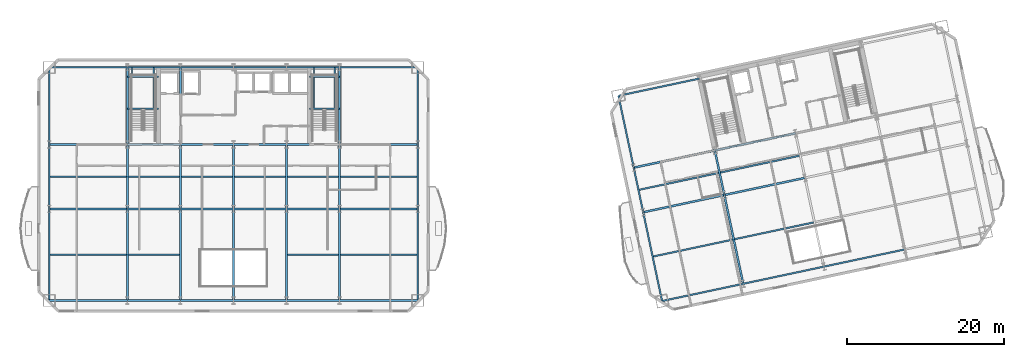
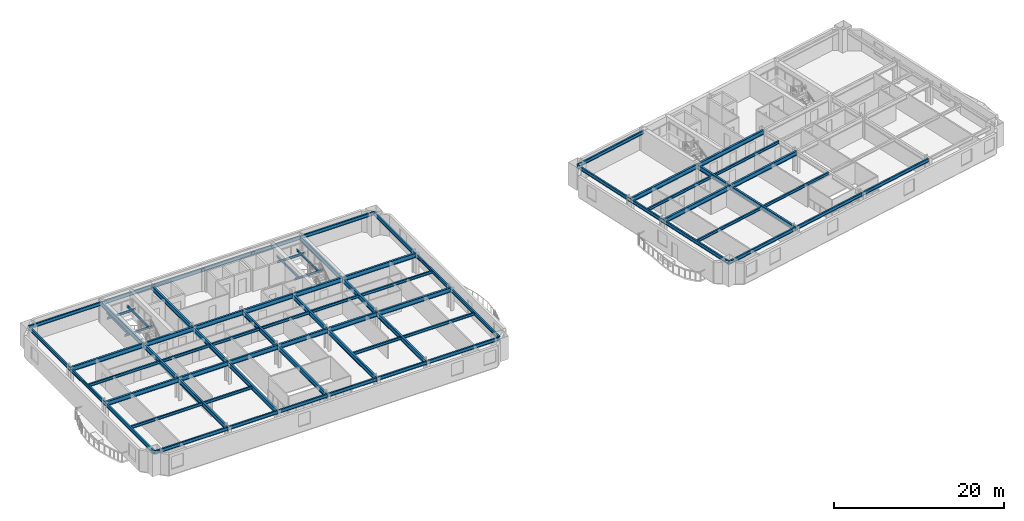
# One storey, part 3 of 14: 78 beams.
"""IFC4 building model written with IfcOpenShell, lengths in metres."""

from ifc_helpers import new_model, si_unit, direction, frame, origin, origin_2d, place, context, subcontext, project, spatial, i_section, extrude, material, material_profile, profile_set, type_object, element, save


model = new_model("IFC4")

# Units and contexts
model_context = context("Model", 3, precision=1e-05, world=origin(), true_north=direction((0.0, 1.0)))
body_context = subcontext(model_context, "Body", "Model", "MODEL_VIEW")
ifc_project = project(units=[si_unit("LENGTHUNIT", "METRE"), si_unit("AREAUNIT", "SQUARE_METRE"), si_unit("VOLUMEUNIT", "CUBIC_METRE"), si_unit("PLANEANGLEUNIT", "RADIAN"), si_unit("MASSUNIT", "GRAM", prefix="KILO")], contexts=[model_context])

# Site, building, storey
site_placement = place(None, origin())
site = spatial("IfcSite", under=ifc_project, at=site_placement, CompositionType="ELEMENT")
building_placement = place(site_placement, origin())
building = spatial("IfcBuilding", under=site, at=building_placement, Name="Haevon Station Towers", CompositionType="ELEMENT")
storey_placement = place(building_placement, frame((0.0, 0.0, 86.699951171875)))
storey = spatial("IfcBuildingStorey", under=building, at=storey_placement, Name="L22", CompositionType="ELEMENT", Elevation=86.699951171875)

# Beams
ifc_material = material(Name="Steel S355", Category="steel")
ifc_material_profile_1 = material_profile(ifc_material, i_section(OverallWidth=0.25, OverallDepth=0.64990234375, WebThickness=0.012939453125, FlangeThickness=0.02197265625, at=origin_2d()), Name="H-650x250x13x22")
ifc_profile_set_1 = profile_set([ifc_material_profile_1], Name="Steel S355")
beam_type_1 = type_object("IfcBeamType", Name="BM-G650", PredefinedType="BEAM", material=ifc_profile_set_1)
beam_1_placement = place(storey_placement, frame((14.050048828125, 30.0, 2.72509765625), z_axis=(1.0, 0.0, 0.0), x_axis=(0.0, 1.0, 0.0)))
element("IfcBeam", 1, at=beam_1_placement, inside=storey, type_object=beam_type_1, Name="BM-T1U-L22-02-01", PredefinedType="BEAM", context=body_context, shape_type="SweptSolid", body=[
    extrude(i_section(OverallWidth=0.25, OverallDepth=0.64990234375, WebThickness=0.012939453125, FlangeThickness=0.02197265625, at=origin_2d()), origin(), (0.0, 0.0, 1.0), 9.949951171875),
])
for number, where, z_axis, x_axis, name in (
    (2, (24.0, 30.0, 2.72509765625), (1.0, 0.0, 0.0), (0.0, 1.0, 0.0), "BM-T1U-L22-02-02"),
    (3, (30.75, 30.0, 2.72509765625), (1.0, 0.0, 0.0), (0.0, 1.0, 0.0), "BM-T1U-L22-02-03"),
    (4, (37.5, 30.0, 2.72509765625), (1.0, 0.0, 0.0), (0.0, 1.0, 0.0), "BM-T1U-L22-02-04"),
    (5, (44.25, 30.0, 2.72509765625), (1.0, 0.0, 0.0), (0.0, 1.0, 0.0), "BM-T1U-L22-02-05"),
):
    element("IfcBeam", number, at=place(storey_placement, frame(where, z_axis=z_axis, x_axis=x_axis)), inside=storey, type_object=beam_type_1, Name=name, PredefinedType="BEAM", context=body_context, shape_type="SweptSolid", body=[
        extrude(i_section(OverallWidth=0.25, OverallDepth=0.64990234375, WebThickness=0.012939453125, FlangeThickness=0.02197265625, at=origin_2d()), origin(), (0.0, 0.0, 1.0), 6.75),
    ])
for number, where, z_axis, x_axis, name in (
    (6, (51.0, 30.0, 2.72509765625), (1.0, 0.0, 0.0), (0.0, 1.0, 0.0), "BM-T1U-L22-02-06"),
    (7, (14.050048828125, 38.199951171875, 2.72509765625), (1.0, 0.0, 0.0), (0.0, 1.0, 0.0), "BM-T1U-L22-03-01"),
):
    element("IfcBeam", number, at=place(storey_placement, frame(where, z_axis=z_axis, x_axis=x_axis)), inside=storey, type_object=beam_type_1, Name=name, PredefinedType="BEAM", context=body_context, shape_type="SweptSolid", body=[
        extrude(i_section(OverallWidth=0.25, OverallDepth=0.64990234375, WebThickness=0.012939453125, FlangeThickness=0.02197265625, at=origin_2d()), origin(), (0.0, 0.0, 1.0), 9.949951171875),
    ])
for number, where, z_axis, x_axis, name in (
    (8, (24.0, 38.199951171875, 2.72509765625), (1.0, 0.0, 0.0), (0.0, 1.0, 0.0), "BM-T1U-L22-03-02"),
    (9, (30.75, 38.199951171875, 2.72509765625), (1.0, 0.0, 0.0), (0.0, 1.0, 0.0), "BM-T1U-L22-03-03"),
    (10, (37.5, 38.199951171875, 2.72509765625), (1.0, 0.0, 0.0), (0.0, 1.0, 0.0), "BM-T1U-L22-03-04"),
    (11, (44.25, 38.199951171875, 2.72509765625), (1.0, 0.0, 0.0), (0.0, 1.0, 0.0), "BM-T1U-L22-03-05"),
):
    element("IfcBeam", number, at=place(storey_placement, frame(where, z_axis=z_axis, x_axis=x_axis)), inside=storey, type_object=beam_type_1, Name=name, PredefinedType="BEAM", context=body_context, shape_type="SweptSolid", body=[
        extrude(i_section(OverallWidth=0.25, OverallDepth=0.64990234375, WebThickness=0.012939453125, FlangeThickness=0.02197265625, at=origin_2d()), origin(), (0.0, 0.0, 1.0), 6.75),
    ])
beam_2_placement = place(storey_placement, frame((51.0, 38.199951171875, 2.72509765625), z_axis=(1.0, 0.0, 0.0), x_axis=(0.0, 1.0, 0.0)))
element("IfcBeam", 12, at=beam_2_placement, inside=storey, type_object=beam_type_1, Name="BM-T1U-L22-03-06", PredefinedType="BEAM", context=body_context, shape_type="SweptSolid", body=[
    extrude(i_section(OverallWidth=0.25, OverallDepth=0.64990234375, WebThickness=0.012939453125, FlangeThickness=0.02197265625, at=origin_2d()), origin(), (0.0, 0.0, 1.0), 9.949951171875),
])
beam_3_placement = place(storey_placement, frame((24.0, 18.35009765625, 2.72509765625), z_axis=(0.0, 1.0, 0.0), x_axis=(-1.0, 0.0, 0.0)))
element("IfcBeam", 13, at=beam_3_placement, inside=storey, type_object=beam_type_1, Name="BM-T1V-L22-02-01", PredefinedType="BEAM", context=body_context, shape_type="SweptSolid", body=[
    extrude(i_section(OverallWidth=0.25, OverallDepth=0.64990234375, WebThickness=0.012939453125, FlangeThickness=0.02197265625, at=origin_2d()), origin(), (0.0, 0.0, 1.0), 11.64990234375),
])
beam_4_placement = place(storey_placement, frame((24.0, 30.0, 2.72509765625), z_axis=(0.0, 1.0, 0.0), x_axis=(-1.0, 0.0, 0.0)))
element("IfcBeam", 14, at=beam_4_placement, inside=storey, type_object=beam_type_1, Name="BM-T1V-L22-02-02", PredefinedType="BEAM", context=body_context, shape_type="SweptSolid", body=[
    extrude(i_section(OverallWidth=0.25, OverallDepth=0.64990234375, WebThickness=0.012939453125, FlangeThickness=0.02197265625, at=origin_2d()), origin(), (0.0, 0.0, 1.0), 8.199951171875),
])
beam_5_placement = place(storey_placement, frame((24.0, 38.199951171875, 2.72509765625), z_axis=(0.0, 1.0, 0.0), x_axis=(-1.0, 0.0, 0.0)))
element("IfcBeam", 15, at=beam_5_placement, inside=storey, type_object=beam_type_1, Name="BM-T1V-L22-02-03", PredefinedType="BEAM", context=body_context, shape_type="SweptSolid", body=[
    extrude(i_section(OverallWidth=0.25, OverallDepth=0.64990234375, WebThickness=0.012939453125, FlangeThickness=0.02197265625, at=origin_2d()), origin(), (0.0, 0.0, 1.0), 9.800048828125),
])
beam_6_placement = place(storey_placement, frame((30.75, 18.35009765625, 2.72509765625), z_axis=(0.0, 1.0, 0.0), x_axis=(-1.0, 0.0, 0.0)))
element("IfcBeam", 16, at=beam_6_placement, inside=storey, type_object=beam_type_1, Name="BM-T1V-L22-03-01", PredefinedType="BEAM", context=body_context, shape_type="SweptSolid", body=[
    extrude(i_section(OverallWidth=0.25, OverallDepth=0.64990234375, WebThickness=0.012939453125, FlangeThickness=0.02197265625, at=origin_2d()), origin(), (0.0, 0.0, 1.0), 11.64990234375),
])
beam_7_placement = place(storey_placement, frame((30.75, 30.0, 2.72509765625), z_axis=(0.0, 1.0, 0.0), x_axis=(-1.0, 0.0, 0.0)))
element("IfcBeam", 17, at=beam_7_placement, inside=storey, type_object=beam_type_1, Name="BM-T1V-L22-03-02", PredefinedType="BEAM", context=body_context, shape_type="SweptSolid", body=[
    extrude(i_section(OverallWidth=0.25, OverallDepth=0.64990234375, WebThickness=0.012939453125, FlangeThickness=0.02197265625, at=origin_2d()), origin(), (0.0, 0.0, 1.0), 8.199951171875),
])
beam_8_placement = place(storey_placement, frame((30.75, 38.199951171875, 2.72509765625), z_axis=(0.0, 1.0, 0.0), x_axis=(-1.0, 0.0, 0.0)))
element("IfcBeam", 18, at=beam_8_placement, inside=storey, type_object=beam_type_1, Name="BM-T1V-L22-03-03", PredefinedType="BEAM", context=body_context, shape_type="SweptSolid", body=[
    extrude(i_section(OverallWidth=0.25, OverallDepth=0.64990234375, WebThickness=0.012939453125, FlangeThickness=0.02197265625, at=origin_2d()), origin(), (0.0, 0.0, 1.0), 9.800048828125),
])
beam_9_placement = place(storey_placement, frame((37.5, 18.35009765625, 2.72509765625), z_axis=(0.0, 1.0, 0.0), x_axis=(-1.0, 0.0, 0.0)))
element("IfcBeam", 19, at=beam_9_placement, inside=storey, type_object=beam_type_1, Name="BM-T1V-L22-04-01", PredefinedType="BEAM", context=body_context, shape_type="SweptSolid", body=[
    extrude(i_section(OverallWidth=0.25, OverallDepth=0.64990234375, WebThickness=0.012939453125, FlangeThickness=0.02197265625, at=origin_2d()), origin(), (0.0, 0.0, 1.0), 11.64990234375),
])
beam_10_placement = place(storey_placement, frame((37.5, 30.0, 2.72509765625), z_axis=(0.0, 1.0, 0.0), x_axis=(-1.0, 0.0, 0.0)))
element("IfcBeam", 20, at=beam_10_placement, inside=storey, type_object=beam_type_1, Name="BM-T1V-L22-04-02", PredefinedType="BEAM", context=body_context, shape_type="SweptSolid", body=[
    extrude(i_section(OverallWidth=0.25, OverallDepth=0.64990234375, WebThickness=0.012939453125, FlangeThickness=0.02197265625, at=origin_2d()), origin(), (0.0, 0.0, 1.0), 8.199951171875),
])
beam_11_placement = place(storey_placement, frame((44.25, 18.35009765625, 2.72509765625), z_axis=(0.0, 1.0, 0.0), x_axis=(-1.0, 0.0, 0.0)))
element("IfcBeam", 21, at=beam_11_placement, inside=storey, type_object=beam_type_1, Name="BM-T1V-L22-05-01", PredefinedType="BEAM", context=body_context, shape_type="SweptSolid", body=[
    extrude(i_section(OverallWidth=0.25, OverallDepth=0.64990234375, WebThickness=0.012939453125, FlangeThickness=0.02197265625, at=origin_2d()), origin(), (0.0, 0.0, 1.0), 11.64990234375),
])
beam_12_placement = place(storey_placement, frame((44.25, 30.0, 2.72509765625), z_axis=(0.0, 1.0, 0.0), x_axis=(-1.0, 0.0, 0.0)))
element("IfcBeam", 22, at=beam_12_placement, inside=storey, type_object=beam_type_1, Name="BM-T1V-L22-05-02", PredefinedType="BEAM", context=body_context, shape_type="SweptSolid", body=[
    extrude(i_section(OverallWidth=0.25, OverallDepth=0.64990234375, WebThickness=0.012939453125, FlangeThickness=0.02197265625, at=origin_2d()), origin(), (0.0, 0.0, 1.0), 8.199951171875),
])
beam_13_placement = place(storey_placement, frame((51.0, 18.35009765625, 2.72509765625), z_axis=(0.0, 1.0, 0.0), x_axis=(-1.0, 0.0, 0.0)))
element("IfcBeam", 23, at=beam_13_placement, inside=storey, type_object=beam_type_1, Name="BM-T1V-L22-06-01", PredefinedType="BEAM", context=body_context, shape_type="SweptSolid", body=[
    extrude(i_section(OverallWidth=0.25, OverallDepth=0.64990234375, WebThickness=0.012939453125, FlangeThickness=0.02197265625, at=origin_2d()), origin(), (0.0, 0.0, 1.0), 11.64990234375),
])
beam_14_placement = place(storey_placement, frame((51.0, 30.0, 2.72509765625), z_axis=(0.0, 1.0, 0.0), x_axis=(-1.0, 0.0, 0.0)))
element("IfcBeam", 24, at=beam_14_placement, inside=storey, type_object=beam_type_1, Name="BM-T1V-L22-06-02", PredefinedType="BEAM", context=body_context, shape_type="SweptSolid", body=[
    extrude(i_section(OverallWidth=0.25, OverallDepth=0.64990234375, WebThickness=0.012939453125, FlangeThickness=0.02197265625, at=origin_2d()), origin(), (0.0, 0.0, 1.0), 8.199951171875),
])
beam_15_placement = place(storey_placement, frame((51.0, 38.199951171875, 2.72509765625), z_axis=(0.0, 1.0, 0.0), x_axis=(-1.0, 0.0, 0.0)))
element("IfcBeam", 25, at=beam_15_placement, inside=storey, type_object=beam_type_1, Name="BM-T1V-L22-06-03", PredefinedType="BEAM", context=body_context, shape_type="SweptSolid", body=[
    extrude(i_section(OverallWidth=0.25, OverallDepth=0.64990234375, WebThickness=0.012939453125, FlangeThickness=0.02197265625, at=origin_2d()), origin(), (0.0, 0.0, 1.0), 9.800048828125),
])
beam_16_placement = place(storey_placement, frame((89.638671875, 29.57568359375, 2.72509765625), z_axis=(0.978150204601, 0.207899440208, 0.0), x_axis=(-0.207899440208, 0.978150204601, 0.0)))
element("IfcBeam", 26, at=beam_16_placement, inside=storey, type_object=beam_type_1, Name="BM-T2U-L22-02-01", PredefinedType="BEAM", context=body_context, shape_type="SweptSolid", body=[
    extrude(i_section(OverallWidth=0.25, OverallDepth=0.64990234375, WebThickness=0.012939453125, FlangeThickness=0.02197265625, at=origin_2d()), origin(), (0.0, 0.0, 1.0), 10.550048828125),
])
beam_17_placement = place(storey_placement, frame((99.958251953125, 31.76904296875, 2.72509765625), z_axis=(0.978146794194, 0.207915485254, 0.0), x_axis=(-0.207915485254, 0.978146794194, 0.0)))
element("IfcBeam", 27, at=beam_17_placement, inside=storey, type_object=beam_type_1, Name="BM-T2U-L22-02-02", PredefinedType="BEAM", context=body_context, shape_type="SweptSolid", body=[
    extrude(i_section(OverallWidth=0.25, OverallDepth=0.64990234375, WebThickness=0.012939453125, FlangeThickness=0.02197265625, at=origin_2d()), origin(), (0.0, 0.0, 1.0), 10.5),
])
beam_18_placement = place(storey_placement, frame((88.432861328125, 35.2490234375, 2.72509765625), z_axis=(0.978150204601, 0.207899440208, 0.0), x_axis=(-0.207899440208, 0.978150204601, 0.0)))
element("IfcBeam", 28, at=beam_18_placement, inside=storey, type_object=beam_type_1, Name="BM-T2U-L22-03-01", PredefinedType="BEAM", context=body_context, shape_type="SweptSolid", body=[
    extrude(i_section(OverallWidth=0.25, OverallDepth=0.64990234375, WebThickness=0.012939453125, FlangeThickness=0.02197265625, at=origin_2d()), origin(), (0.0, 0.0, 1.0), 10.550048828125),
])
beam_19_placement = place(storey_placement, frame((98.75244140625, 37.4423828125, 2.72509765625), z_axis=(0.978146794194, 0.207915485254, 0.0), x_axis=(-0.207915485254, 0.978146794194, 0.0)))
element("IfcBeam", 29, at=beam_19_placement, inside=storey, type_object=beam_type_1, Name="BM-T2U-L22-03-02", PredefinedType="BEAM", context=body_context, shape_type="SweptSolid", body=[
    extrude(i_section(OverallWidth=0.25, OverallDepth=0.64990234375, WebThickness=0.012939453125, FlangeThickness=0.02197265625, at=origin_2d()), origin(), (0.0, 0.0, 1.0), 10.5),
])
beam_20_placement = place(storey_placement, frame((102.359619140625, 20.471435546875, 2.72509765625), z_axis=(-0.207910580697, 0.978147836697, 0.0), x_axis=(-0.978147836697, -0.207910580697, 0.0)))
element("IfcBeam", 30, at=beam_20_placement, inside=storey, type_object=beam_type_1, Name="BM-T2V-L22-02-01", PredefinedType="BEAM", context=body_context, shape_type="SweptSolid", body=[
    extrude(i_section(OverallWidth=0.25, OverallDepth=0.64990234375, WebThickness=0.012939453125, FlangeThickness=0.02197265625, at=origin_2d()), origin(), (0.0, 0.0, 1.0), 11.550048828125),
])
beam_21_placement = place(storey_placement, frame((99.958251953125, 31.76904296875, 2.72509765625), z_axis=(-0.207896009217, 0.97815093383, 0.0), x_axis=(-0.97815093383, -0.207896009217, 0.0)))
element("IfcBeam", 31, at=beam_21_placement, inside=storey, type_object=beam_type_1, Name="BM-T2V-L22-02-02", PredefinedType="BEAM", context=body_context, shape_type="SweptSolid", body=[
    extrude(i_section(OverallWidth=0.25, OverallDepth=0.64990234375, WebThickness=0.012939453125, FlangeThickness=0.02197265625, at=origin_2d()), origin(), (0.0, 0.0, 1.0), 5.800048828125),
])
ifc_material_profile_2 = material_profile(ifc_material, i_section(OverallWidth=0.199951171875, OverallDepth=0.39990234375, WebThickness=0.008056640625, FlangeThickness=0.012939453125, at=origin_2d()), Name="H-400x200x8x13")
ifc_profile_set_2 = profile_set([ifc_material_profile_2], Name="Steel S355")
beam_type_2 = type_object("IfcBeamType", Name="BM-J400", PredefinedType="JOIST", material=ifc_profile_set_2)
beam_22_placement = place(storey_placement, frame((14.159912109375, 24.175048828125, 2.85009765625), z_axis=(1.0, 0.0, 0.0), x_axis=(0.0, 1.0, 0.0)))
element("IfcBeam", 32, at=beam_22_placement, inside=storey, type_object=beam_type_2, Name="BM-T1J-L22-01-01", PredefinedType="JOIST", context=body_context, shape_type="SweptSolid", body=[
    extrude(i_section(OverallWidth=0.199951171875, OverallDepth=0.39990234375, WebThickness=0.008056640625, FlangeThickness=0.012939453125, at=origin_2d()), origin(), (0.0, 0.0, 1.0), 9.72998046875),
])
for number, where, z_axis, x_axis, name in (
    (33, (24.110107421875, 24.175048828125, 2.85009765625), (1.0, 0.0, 0.0), (0.0, 1.0, 0.0), "BM-T1J-L22-01-02"),
    (34, (44.360107421875, 24.175048828125, 2.85009765625), (1.0, 0.0, 0.0), (0.0, 1.0, 0.0), "BM-T1J-L22-01-05"),
):
    element("IfcBeam", number, at=place(storey_placement, frame(where, z_axis=z_axis, x_axis=x_axis)), inside=storey, type_object=beam_type_2, Name=name, PredefinedType="JOIST", context=body_context, shape_type="SweptSolid", body=[
        extrude(i_section(OverallWidth=0.199951171875, OverallDepth=0.39990234375, WebThickness=0.008056640625, FlangeThickness=0.012939453125, at=origin_2d()), origin(), (0.0, 0.0, 1.0), 6.52978515625),
    ])
for number, where, z_axis, x_axis, name in (
    (35, (51.110107421875, 24.175048828125, 2.85009765625), (1.0, 0.0, 0.0), (0.0, 1.0, 0.0), "BM-T1J-L22-01-06"),
    (36, (14.159912109375, 34.10009765625, 2.85009765625), (1.0, 0.0, 0.0), (0.0, 1.0, 0.0), "BM-T1J-L22-02-01"),
):
    element("IfcBeam", number, at=place(storey_placement, frame(where, z_axis=z_axis, x_axis=x_axis)), inside=storey, type_object=beam_type_2, Name=name, PredefinedType="JOIST", context=body_context, shape_type="SweptSolid", body=[
        extrude(i_section(OverallWidth=0.199951171875, OverallDepth=0.39990234375, WebThickness=0.008056640625, FlangeThickness=0.012939453125, at=origin_2d()), origin(), (0.0, 0.0, 1.0), 9.72998046875),
    ])
for number, where, z_axis, x_axis, name in (
    (37, (24.110107421875, 34.10009765625, 2.85009765625), (1.0, 0.0, 0.0), (0.0, 1.0, 0.0), "BM-T1J-L22-02-02"),
    (38, (30.860107421875, 34.10009765625, 2.85009765625), (1.0, 0.0, 0.0), (0.0, 1.0, 0.0), "BM-T1J-L22-02-03"),
    (39, (37.610107421875, 34.10009765625, 2.85009765625), (1.0, 0.0, 0.0), (0.0, 1.0, 0.0), "BM-T1J-L22-02-04"),
    (40, (44.360107421875, 34.10009765625, 2.85009765625), (1.0, 0.0, 0.0), (0.0, 1.0, 0.0), "BM-T1J-L22-02-05"),
):
    element("IfcBeam", number, at=place(storey_placement, frame(where, z_axis=z_axis, x_axis=x_axis)), inside=storey, type_object=beam_type_2, Name=name, PredefinedType="JOIST", context=body_context, shape_type="SweptSolid", body=[
        extrude(i_section(OverallWidth=0.199951171875, OverallDepth=0.39990234375, WebThickness=0.008056640625, FlangeThickness=0.012939453125, at=origin_2d()), origin(), (0.0, 0.0, 1.0), 6.52978515625),
    ])
beam_23_placement = place(storey_placement, frame((51.110107421875, 34.10009765625, 2.85009765625), z_axis=(1.0, 0.0, 0.0), x_axis=(0.0, 1.0, 0.0)))
element("IfcBeam", 41, at=beam_23_placement, inside=storey, type_object=beam_type_2, Name="BM-T1J-L22-02-06", PredefinedType="JOIST", context=body_context, shape_type="SweptSolid", body=[
    extrude(i_section(OverallWidth=0.199951171875, OverallDepth=0.39990234375, WebThickness=0.008056640625, FlangeThickness=0.012939453125, at=origin_2d()), origin(), (0.0, 0.0, 1.0), 9.72998046875),
])
beam_24_placement = place(storey_placement, frame((90.947021484375, 23.94970703125, 2.85009765625), z_axis=(0.978147977643, 0.207909917591, 0.0), x_axis=(-0.207909917591, 0.978147977643, 0.0)))
element("IfcBeam", 42, at=beam_24_placement, inside=storey, type_object=beam_type_2, Name="BM-T2J-L22-01-01", PredefinedType="JOIST", context=body_context, shape_type="SweptSolid", body=[
    extrude(i_section(OverallWidth=0.199951171875, OverallDepth=0.39990234375, WebThickness=0.008056640625, FlangeThickness=0.012939453125, at=origin_2d()), origin(), (0.0, 0.0, 1.0), 10.330078125),
])
beam_25_placement = place(storey_placement, frame((101.2666015625, 26.143310546875, 2.85009765625), z_axis=(0.978149313139, 0.20790363442, 0.0), x_axis=(-0.20790363442, 0.978149313139, 0.0)))
element("IfcBeam", 43, at=beam_25_placement, inside=storey, type_object=beam_type_2, Name="BM-T2J-L22-01-02", PredefinedType="JOIST", context=body_context, shape_type="SweptSolid", body=[
    extrude(i_section(OverallWidth=0.199951171875, OverallDepth=0.39990234375, WebThickness=0.008056640625, FlangeThickness=0.012939453125, at=origin_2d()), origin(), (0.0, 0.0, 1.0), 10.27978515625),
])
beam_26_placement = place(storey_placement, frame((89.1435546875, 32.435302734375, 2.85009765625), z_axis=(0.978147977643, 0.207909917591, 0.0), x_axis=(-0.207909917591, 0.978147977643, 0.0)))
element("IfcBeam", 44, at=beam_26_placement, inside=storey, type_object=beam_type_2, Name="BM-T2J-L22-02-01", PredefinedType="JOIST", context=body_context, shape_type="SweptSolid", body=[
    extrude(i_section(OverallWidth=0.199951171875, OverallDepth=0.39990234375, WebThickness=0.008056640625, FlangeThickness=0.012939453125, at=origin_2d()), origin(), (0.0, 0.0, 1.0), 10.330078125),
])
beam_27_placement = place(storey_placement, frame((99.462890625, 34.628662109375, 2.85009765625), z_axis=(0.978150339653, 0.207898804801, 0.0), x_axis=(-0.207898804801, 0.978150339653, 0.0)))
element("IfcBeam", 45, at=beam_27_placement, inside=storey, type_object=beam_type_2, Name="BM-T2J-L22-02-02", PredefinedType="JOIST", context=body_context, shape_type="SweptSolid", body=[
    extrude(i_section(OverallWidth=0.199951171875, OverallDepth=0.39990234375, WebThickness=0.008056640625, FlangeThickness=0.012939453125, at=origin_2d()), origin(), (0.0, 0.0, 1.0), 10.280029296875),
])
ifc_material_profile_3 = material_profile(ifc_material, i_section(OverallWidth=0.14990234375, OverallDepth=0.300048828125, WebThickness=0.006591796875, FlangeThickness=0.009033203125, at=origin_2d()), Name="H-300x150x6.5x9")
ifc_profile_set_3 = profile_set([ifc_material_profile_3], Name="Steel S355")
beam_type_3 = type_object("IfcBeamType", Name="BM-LIN300", PredefinedType="LINTEL", material=ifc_profile_set_3)
for number, where, z_axis, x_axis, name in (
    (46, (24.0, 42.743896484375, 1.300048828125), (1.0, 0.0, 0.0), (0.0, 1.0, 0.0), "BM-ST1L-L22-1-S"),
    (47, (24.0, 46.820068359375, 1.300048828125), (1.0, 0.0, 0.0), (0.0, 1.0, 0.0), "BM-ST1L-L22-1-N"),
):
    element("IfcBeam", number, at=place(storey_placement, frame(where, z_axis=z_axis, x_axis=x_axis)), inside=storey, type_object=beam_type_3, Name=name, PredefinedType="LINTEL", context=body_context, shape_type="SweptSolid", body=[
        extrude(i_section(OverallWidth=0.14990234375, OverallDepth=0.300048828125, WebThickness=0.006591796875, FlangeThickness=0.009033203125, at=origin_2d()), origin(), (0.0, 0.0, 1.0), 3.949951171875),
    ])
for number, where, z_axis, x_axis, name in (
    (48, (24.60009765625, 42.743896484375, 1.300048828125), (0.0, 1.0, 0.0), (-1.0, 0.0, 0.0), "BM-ST1L-L22-1-W"),
    (49, (27.35009765625, 42.743896484375, 1.300048828125), (0.0, 1.0, 0.0), (-1.0, 0.0, 0.0), "BM-ST1L-L22-1-E"),
):
    element("IfcBeam", number, at=place(storey_placement, frame(where, z_axis=z_axis, x_axis=x_axis)), inside=storey, type_object=beam_type_3, Name=name, PredefinedType="LINTEL", context=body_context, shape_type="SweptSolid", body=[
        extrude(i_section(OverallWidth=0.14990234375, OverallDepth=0.300048828125, WebThickness=0.006591796875, FlangeThickness=0.009033203125, at=origin_2d()), origin(), (0.0, 0.0, 1.0), 5.256103515625),
    ])
for number, where, z_axis, x_axis, name in (
    (50, (47.14990234375, 42.743896484375, 1.300048828125), (1.0, 0.0, 0.0), (0.0, 1.0, 0.0), "BM-ST2L-L22-1-S"),
    (51, (47.14990234375, 46.820068359375, 1.300048828125), (1.0, 0.0, 0.0), (0.0, 1.0, 0.0), "BM-ST2L-L22-1-N"),
):
    element("IfcBeam", number, at=place(storey_placement, frame(where, z_axis=z_axis, x_axis=x_axis)), inside=storey, type_object=beam_type_3, Name=name, PredefinedType="LINTEL", context=body_context, shape_type="SweptSolid", body=[
        extrude(i_section(OverallWidth=0.14990234375, OverallDepth=0.300048828125, WebThickness=0.006591796875, FlangeThickness=0.009033203125, at=origin_2d()), origin(), (0.0, 0.0, 1.0), 3.85009765625),
    ])
for number, where, z_axis, x_axis, name in (
    (52, (47.75, 42.743896484375, 1.300048828125), (0.0, 1.0, 0.0), (-1.0, 0.0, 0.0), "BM-ST2L-L22-1-W"),
    (53, (50.39990234375, 42.743896484375, 1.300048828125), (0.0, 1.0, 0.0), (-1.0, 0.0, 0.0), "BM-ST2L-L22-1-E"),
):
    element("IfcBeam", number, at=place(storey_placement, frame(where, z_axis=z_axis, x_axis=x_axis)), inside=storey, type_object=beam_type_3, Name=name, PredefinedType="LINTEL", context=body_context, shape_type="SweptSolid", body=[
        extrude(i_section(OverallWidth=0.14990234375, OverallDepth=0.300048828125, WebThickness=0.006591796875, FlangeThickness=0.009033203125, at=origin_2d()), origin(), (0.0, 0.0, 1.0), 5.256103515625),
    ])
ifc_material_profile_4 = material_profile(ifc_material, i_section(OverallWidth=0.199951171875, OverallDepth=0.5, WebThickness=0.010009765625, FlangeThickness=0.01611328125, at=origin_2d()), Name="H-500x200x10x16")
ifc_profile_set_4 = profile_set([ifc_material_profile_4], Name="Steel S355")
beam_type_4 = type_object("IfcBeamType", Name="BM-SP500", PredefinedType="SPANDREL", material=ifc_profile_set_4)
beam_28_placement = place(storey_placement, frame((14.050048828125, 18.35009765625, 2.800048828125), z_axis=(1.0, 0.0, 0.0), x_axis=(0.0, 1.0, 0.0)))
element("IfcBeam", 54, at=beam_28_placement, inside=storey, type_object=beam_type_4, Name="BM-T1U-L22-01-01", PredefinedType="SPANDREL", context=body_context, shape_type="SweptSolid", body=[
    extrude(i_section(OverallWidth=0.199951171875, OverallDepth=0.5, WebThickness=0.010009765625, FlangeThickness=0.01611328125, at=origin_2d()), origin(), (0.0, 0.0, 1.0), 9.949951171875),
])
for number, where, z_axis, x_axis, name in (
    (55, (24.0, 18.35009765625, 2.800048828125), (1.0, 0.0, 0.0), (0.0, 1.0, 0.0), "BM-T1U-L22-01-02"),
    (56, (30.75, 18.35009765625, 2.800048828125), (1.0, 0.0, 0.0), (0.0, 1.0, 0.0), "BM-T1U-L22-01-03"),
    (57, (37.5, 18.35009765625, 2.800048828125), (1.0, 0.0, 0.0), (0.0, 1.0, 0.0), "BM-T1U-L22-01-04"),
    (58, (44.25, 18.35009765625, 2.800048828125), (1.0, 0.0, 0.0), (0.0, 1.0, 0.0), "BM-T1U-L22-01-05"),
):
    element("IfcBeam", number, at=place(storey_placement, frame(where, z_axis=z_axis, x_axis=x_axis)), inside=storey, type_object=beam_type_4, Name=name, PredefinedType="SPANDREL", context=body_context, shape_type="SweptSolid", body=[
        extrude(i_section(OverallWidth=0.199951171875, OverallDepth=0.5, WebThickness=0.010009765625, FlangeThickness=0.01611328125, at=origin_2d()), origin(), (0.0, 0.0, 1.0), 6.75),
    ])
for number, where, z_axis, x_axis, name in (
    (59, (51.0, 18.35009765625, 2.800048828125), (1.0, 0.0, 0.0), (0.0, 1.0, 0.0), "BM-T1U-L22-01-06"),
    (60, (14.050048828125, 48.0, 2.800048828125), (1.0, 0.0, 0.0), (0.0, 1.0, 0.0), "BM-T1U-L22-04-01"),
):
    element("IfcBeam", number, at=place(storey_placement, frame(where, z_axis=z_axis, x_axis=x_axis)), inside=storey, type_object=beam_type_4, Name=name, PredefinedType="SPANDREL", context=body_context, shape_type="SweptSolid", body=[
        extrude(i_section(OverallWidth=0.199951171875, OverallDepth=0.5, WebThickness=0.010009765625, FlangeThickness=0.01611328125, at=origin_2d()), origin(), (0.0, 0.0, 1.0), 9.949951171875),
    ])
for number, where, z_axis, x_axis, name in (
    (61, (24.0, 48.0, 2.800048828125), (1.0, 0.0, 0.0), (0.0, 1.0, 0.0), "BM-T1U-L22-04-02"),
    (62, (30.75, 48.0, 2.800048828125), (1.0, 0.0, 0.0), (0.0, 1.0, 0.0), "BM-T1U-L22-04-03"),
    (63, (37.5, 48.0, 2.800048828125), (1.0, 0.0, 0.0), (0.0, 1.0, 0.0), "BM-T1U-L22-04-04"),
    (64, (44.25, 48.0, 2.800048828125), (1.0, 0.0, 0.0), (0.0, 1.0, 0.0), "BM-T1U-L22-04-05"),
):
    element("IfcBeam", number, at=place(storey_placement, frame(where, z_axis=z_axis, x_axis=x_axis)), inside=storey, type_object=beam_type_4, Name=name, PredefinedType="SPANDREL", context=body_context, shape_type="SweptSolid", body=[
        extrude(i_section(OverallWidth=0.199951171875, OverallDepth=0.5, WebThickness=0.010009765625, FlangeThickness=0.01611328125, at=origin_2d()), origin(), (0.0, 0.0, 1.0), 6.75),
    ])
beam_29_placement = place(storey_placement, frame((51.0, 48.0, 2.800048828125), z_axis=(1.0, 0.0, 0.0), x_axis=(0.0, 1.0, 0.0)))
element("IfcBeam", 65, at=beam_29_placement, inside=storey, type_object=beam_type_4, Name="BM-T1U-L22-04-06", PredefinedType="SPANDREL", context=body_context, shape_type="SweptSolid", body=[
    extrude(i_section(OverallWidth=0.199951171875, OverallDepth=0.5, WebThickness=0.010009765625, FlangeThickness=0.01611328125, at=origin_2d()), origin(), (0.0, 0.0, 1.0), 9.949951171875),
])
beam_30_placement = place(storey_placement, frame((14.050048828125, 18.35009765625, 2.800048828125), z_axis=(0.0, 1.0, 0.0), x_axis=(-1.0, 0.0, 0.0)))
element("IfcBeam", 66, at=beam_30_placement, inside=storey, type_object=beam_type_4, Name="BM-T1V-L22-01-01", PredefinedType="SPANDREL", context=body_context, shape_type="SweptSolid", body=[
    extrude(i_section(OverallWidth=0.199951171875, OverallDepth=0.5, WebThickness=0.010009765625, FlangeThickness=0.01611328125, at=origin_2d()), origin(), (0.0, 0.0, 1.0), 11.64990234375),
])
beam_31_placement = place(storey_placement, frame((14.050048828125, 30.0, 2.800048828125), z_axis=(0.0, 1.0, 0.0), x_axis=(-1.0, 0.0, 0.0)))
element("IfcBeam", 67, at=beam_31_placement, inside=storey, type_object=beam_type_4, Name="BM-T1V-L22-01-02", PredefinedType="SPANDREL", context=body_context, shape_type="SweptSolid", body=[
    extrude(i_section(OverallWidth=0.199951171875, OverallDepth=0.5, WebThickness=0.010009765625, FlangeThickness=0.01611328125, at=origin_2d()), origin(), (0.0, 0.0, 1.0), 8.199951171875),
])
beam_32_placement = place(storey_placement, frame((14.050048828125, 38.199951171875, 2.800048828125), z_axis=(0.0, 1.0, 0.0), x_axis=(-1.0, 0.0, 0.0)))
element("IfcBeam", 68, at=beam_32_placement, inside=storey, type_object=beam_type_4, Name="BM-T1V-L22-01-03", PredefinedType="SPANDREL", context=body_context, shape_type="SweptSolid", body=[
    extrude(i_section(OverallWidth=0.199951171875, OverallDepth=0.5, WebThickness=0.010009765625, FlangeThickness=0.01611328125, at=origin_2d()), origin(), (0.0, 0.0, 1.0), 9.800048828125),
])
beam_33_placement = place(storey_placement, frame((60.949951171875, 18.35009765625, 2.800048828125), z_axis=(0.0, 1.0, 0.0), x_axis=(-1.0, 0.0, 0.0)))
element("IfcBeam", 69, at=beam_33_placement, inside=storey, type_object=beam_type_4, Name="BM-T1V-L22-07-01", PredefinedType="SPANDREL", context=body_context, shape_type="SweptSolid", body=[
    extrude(i_section(OverallWidth=0.199951171875, OverallDepth=0.5, WebThickness=0.010009765625, FlangeThickness=0.01611328125, at=origin_2d()), origin(), (0.0, 0.0, 1.0), 11.64990234375),
])
beam_34_placement = place(storey_placement, frame((60.949951171875, 30.0, 2.800048828125), z_axis=(0.0, 1.0, 0.0), x_axis=(-1.0, 0.0, 0.0)))
element("IfcBeam", 70, at=beam_34_placement, inside=storey, type_object=beam_type_4, Name="BM-T1V-L22-07-02", PredefinedType="SPANDREL", context=body_context, shape_type="SweptSolid", body=[
    extrude(i_section(OverallWidth=0.199951171875, OverallDepth=0.5, WebThickness=0.010009765625, FlangeThickness=0.01611328125, at=origin_2d()), origin(), (0.0, 0.0, 1.0), 8.199951171875),
])
beam_35_placement = place(storey_placement, frame((60.949951171875, 38.199951171875, 2.800048828125), z_axis=(0.0, 1.0, 0.0), x_axis=(-1.0, 0.0, 0.0)))
element("IfcBeam", 71, at=beam_35_placement, inside=storey, type_object=beam_type_4, Name="BM-T1V-L22-07-03", PredefinedType="SPANDREL", context=body_context, shape_type="SweptSolid", body=[
    extrude(i_section(OverallWidth=0.199951171875, OverallDepth=0.5, WebThickness=0.010009765625, FlangeThickness=0.01611328125, at=origin_2d()), origin(), (0.0, 0.0, 1.0), 9.800048828125),
])
beam_36_placement = place(storey_placement, frame((92.040283203125, 18.278076171875, 2.800048828125), z_axis=(0.978149204359, 0.207904146209, 0.0), x_axis=(-0.207904146209, 0.978149204359, 0.0)))
element("IfcBeam", 72, at=beam_36_placement, inside=storey, type_object=beam_type_4, Name="BM-T2U-L22-01-01", PredefinedType="SPANDREL", context=body_context, shape_type="SweptSolid", body=[
    extrude(i_section(OverallWidth=0.199951171875, OverallDepth=0.5, WebThickness=0.010009765625, FlangeThickness=0.01611328125, at=origin_2d()), origin(), (0.0, 0.0, 1.0), 10.5498046875),
])
for number, where, z_axis, x_axis, name in (
    (73, (102.359619140625, 20.471435546875, 2.800048828125), (0.978146794194, 0.207915485254, 0.0), (-0.207915485254, 0.978146794194, 0.0), "BM-T2U-L22-01-02"),
    (74, (112.630126953125, 22.654541015625, 2.800048828125), (0.978146794194, 0.207915485254, 0.0), (-0.207915485254, 0.978146794194, 0.0), "BM-T2U-L22-01-03"),
):
    element("IfcBeam", number, at=place(storey_placement, frame(where, z_axis=z_axis, x_axis=x_axis)), inside=storey, type_object=beam_type_4, Name=name, PredefinedType="SPANDREL", context=body_context, shape_type="SweptSolid", body=[
        extrude(i_section(OverallWidth=0.199951171875, OverallDepth=0.5, WebThickness=0.010009765625, FlangeThickness=0.01611328125, at=origin_2d()), origin(), (0.0, 0.0, 1.0), 10.5),
    ])
beam_37_placement = place(storey_placement, frame((86.489013671875, 44.39453125, 2.800048828125), z_axis=(0.978144498026, 0.207926287375, 0.0), x_axis=(-0.207926287375, 0.978144498026, 0.0)))
element("IfcBeam", 75, at=beam_37_placement, inside=storey, type_object=beam_type_4, Name="BM-T2U-L22-04-01", PredefinedType="SPANDREL", context=body_context, shape_type="SweptSolid", body=[
    extrude(i_section(OverallWidth=0.199951171875, OverallDepth=0.5, WebThickness=0.010009765625, FlangeThickness=0.01611328125, at=origin_2d()), origin(), (0.0, 0.0, 1.0), 10.5498046875),
])
beam_38_placement = place(storey_placement, frame((92.040283203125, 18.278076171875, 2.800048828125), z_axis=(-0.207930804564, 0.978143537786, 0.0), x_axis=(-0.978143537786, -0.207930804564, 0.0)))
element("IfcBeam", 76, at=beam_38_placement, inside=storey, type_object=beam_type_4, Name="BM-T2V-L22-01-01", PredefinedType="SPANDREL", context=body_context, shape_type="SweptSolid", body=[
    extrude(i_section(OverallWidth=0.199951171875, OverallDepth=0.5, WebThickness=0.010009765625, FlangeThickness=0.01611328125, at=origin_2d()), origin(), (0.0, 0.0, 1.0), 11.550048828125),
])
beam_39_placement = place(storey_placement, frame((89.638671875, 29.57568359375, 2.800048828125), z_axis=(-0.207896009217, 0.97815093383, 0.0), x_axis=(-0.97815093383, -0.207896009217, 0.0)))
element("IfcBeam", 77, at=beam_39_placement, inside=storey, type_object=beam_type_4, Name="BM-T2V-L22-01-02", PredefinedType="SPANDREL", context=body_context, shape_type="SweptSolid", body=[
    extrude(i_section(OverallWidth=0.199951171875, OverallDepth=0.5, WebThickness=0.010009765625, FlangeThickness=0.01611328125, at=origin_2d()), origin(), (0.0, 0.0, 1.0), 5.800048828125),
])
beam_40_placement = place(storey_placement, frame((88.432861328125, 35.2490234375, 2.800048828125), z_axis=(-0.207902477038, 0.978149559138, 0.0), x_axis=(-0.978149559138, -0.207902477038, 0.0)))
element("IfcBeam", 78, at=beam_40_placement, inside=storey, type_object=beam_type_4, Name="BM-T2V-L22-01-03", PredefinedType="SPANDREL", context=body_context, shape_type="SweptSolid", body=[
    extrude(i_section(OverallWidth=0.199951171875, OverallDepth=0.5, WebThickness=0.010009765625, FlangeThickness=0.01611328125, at=origin_2d()), origin(), (0.0, 0.0, 1.0), 9.349853515625),
])

save(model, "model.ifc")
